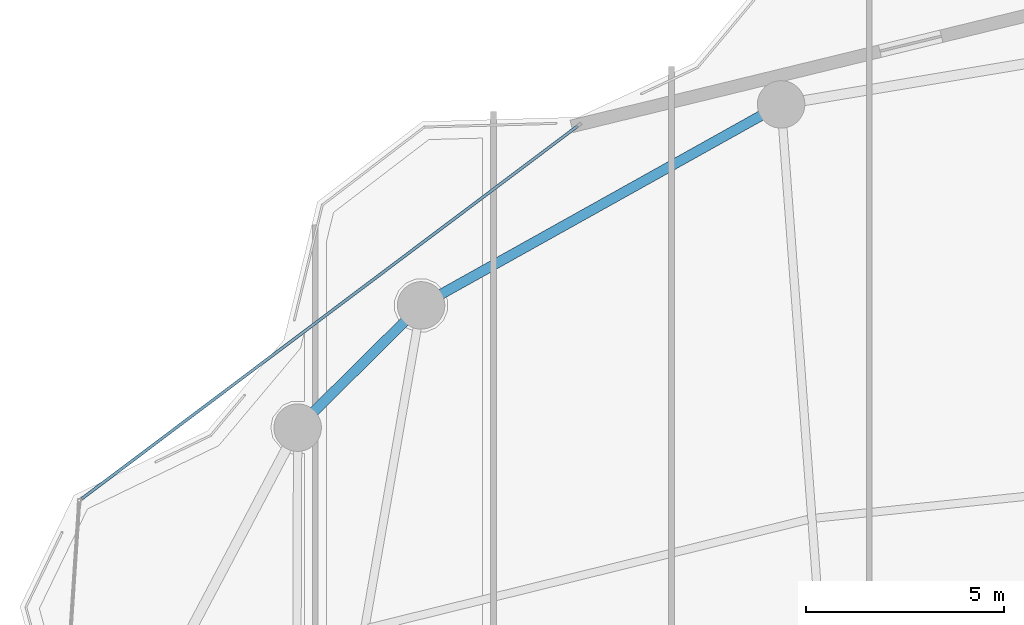
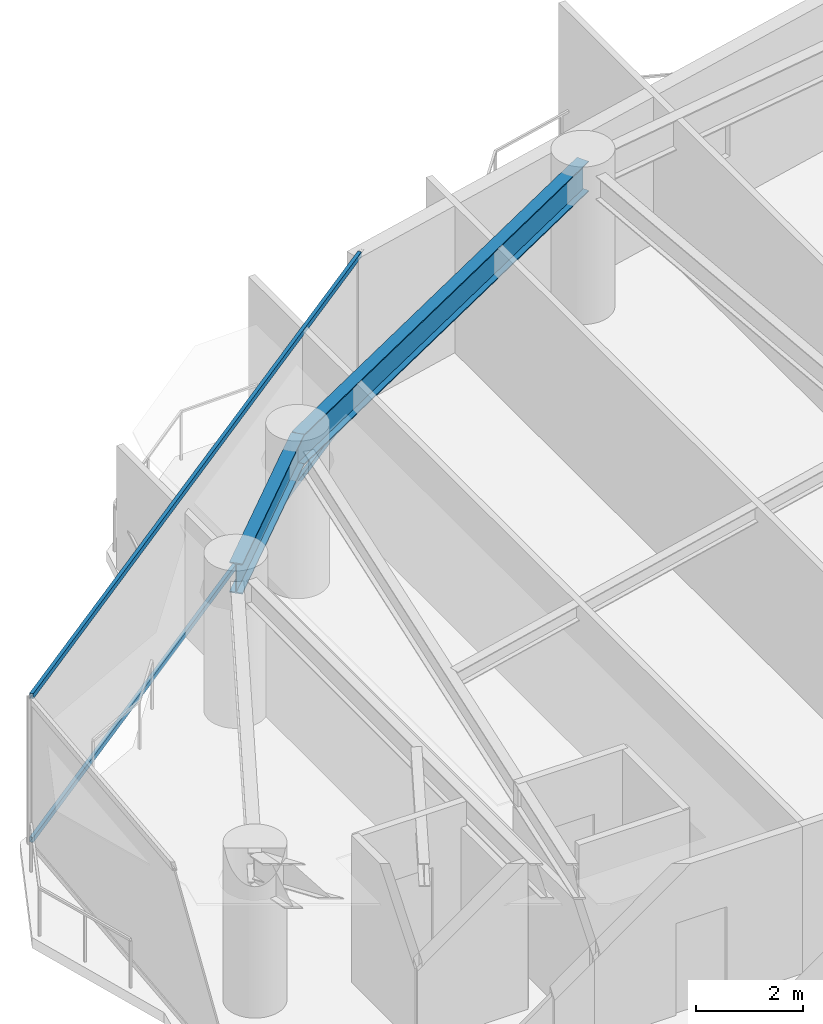
# One storey, part 17 of 30: 2 beams, 2 members, 1 element without a shape of its own.
"""IFC4 building model written with IfcOpenShell, lengths in metres."""

from ifc_helpers import new_model, si_unit, direction, frame, origin, origin_2d, place, context, subcontext, project, spatial, hollow_rectangle, i_section, extrude, material, layer, layer_set, material_profile, profile_set, type_object, element, aggregate, save


model = new_model("IFC4")

# Units and contexts
model_context = context("Model", 3, precision=1e-05, world=origin(), true_north=direction((0.0, 1.0)))
body_context = subcontext(model_context, "Body", "Model", "MODEL_VIEW")
ifc_project = project(units=[si_unit("LENGTHUNIT", "METRE"), si_unit("AREAUNIT", "SQUARE_METRE"), si_unit("VOLUMEUNIT", "CUBIC_METRE"), si_unit("PLANEANGLEUNIT", "RADIAN"), si_unit("MASSUNIT", "GRAM", prefix="KILO")], contexts=[model_context])

# Site, building, storey
site_placement = place(None, origin())
site = spatial("IfcSite", under=ifc_project, at=site_placement, CompositionType="ELEMENT")
building_placement = place(site_placement, origin())
building = spatial("IfcBuilding", under=site, at=building_placement, Name="Kazevale Care Tower and Concert Hall", CompositionType="ELEMENT")
storey_placement = place(building_placement, frame((0.0, 0.0, 131.39990234375)))
storey = spatial("IfcBuildingStorey", under=building, at=storey_placement, Name="L34", CompositionType="ELEMENT", Elevation=131.39990234375)

# Curtain wall, members
ifc_material_1 = material(Name="Aluminium 6063-T6 and Low-E Glass", Category="aluminium")
ifc_layer = layer(ifc_material_1, 0.179931640625)
ifc_layer_set = layer_set([ifc_layer], Name="Aluminium 6063-T6 and Low-E Glass")
curtain_wall_type = type_object("IfcCurtainWallType", Name="Convex Recessed Sunroom Curtain Wall CW-3", PredefinedType="NOTDEFINED", material=ifc_layer_set)
curtain_wall_placement = place(storey_placement, origin())
curtain_wall = element("IfcCurtainWall", 1, at=curtain_wall_placement, inside=storey, type_object=curtain_wall_type, Name="cw:L34:f14", PredefinedType="NOTDEFINED")
ifc_material_2 = material(Name="Aluminium 6063-T6", Category="aluminium")
ifc_material_profile_1 = material_profile(ifc_material_2, hollow_rectangle(XDim=0.074951171875, YDim=0.1201171875, WallThickness=0.00390625, at=origin_2d()), Name="ALU75x120x4")
ifc_profile_set_1 = profile_set([ifc_material_profile_1], Name="Aluminium 6063-T6")
member_type = type_object("IfcMemberType", Name="CW-3 Transom ALU75x120x4", PredefinedType="USERDEFINED", material=ifc_profile_set_1)
member_1_placement = place(storey_placement, frame((16.5888671875, 49.68994140625, 0.03759765625), z_axis=(0.79939444404, 0.600806560249, 0.0), x_axis=(-0.600806560249, 0.79939444404, 0.0)))
member_1 = element("IfcMember", 2, at=member_1_placement, type_object=member_type, Name="CW-3 transom 1.1", ObjectType="TRANSOM", PredefinedType="USERDEFINED", context=body_context, shape_type="SweptSolid", body=[
    extrude(hollow_rectangle(XDim=0.074951171875, YDim=0.1201171875, WallThickness=0.00390625, at=origin_2d()), origin(), (0.0, 0.0, 1.0), 15.685791015625),
])
member_2_placement = place(storey_placement, frame((16.5888671875, 49.68994140625, 3.322509765625), z_axis=(0.79939444404, 0.600806560249, 0.0), x_axis=(-0.600806560249, 0.79939444404, 0.0)))
member_2 = element("IfcMember", 3, at=member_2_placement, type_object=member_type, Name="CW-3 transom 1.2", ObjectType="TRANSOM", PredefinedType="USERDEFINED", context=body_context, shape_type="SweptSolid", body=[
    extrude(hollow_rectangle(XDim=0.074951171875, YDim=0.1201171875, WallThickness=0.00390625, at=origin_2d()), origin(), (0.0, 0.0, 1.0), 15.685791015625),
])
aggregate(curtain_wall, [member_1, member_2])

# Beams
ifc_material_3 = material(Name="Steel ASTM A572 Gr 50", Category="steel")
ifc_material_profile_2 = material_profile(ifc_material_3, i_section(OverallWidth=0.256103515625, OverallDepth=0.693115234375, WebThickness=0.014404296875, FlangeThickness=0.023681640625, at=origin_2d()), Name="W690x170")
ifc_profile_set_2 = profile_set([ifc_material_profile_2], Name="Steel ASTM A572 Gr 50")
beam_type = type_object("IfcBeamType", Name="Waist Ring Beam W690x170", PredefinedType="BEAM", material=ifc_profile_set_2)
beam_1_placement = place(storey_placement, frame((34.27001953125, 59.659912109375, 3.013671875), z_axis=(-0.873168720251, -0.487418081297, 0.0), x_axis=(0.487418081297, -0.873168720251, 0.0)))
element("IfcBeam", 4, at=beam_1_placement, inside=storey, type_object=beam_type, Name="beam:L34:ring:06", PredefinedType="BEAM", context=body_context, shape_type="SweptSolid", body=[
    extrude(i_section(OverallWidth=0.256103515625, OverallDepth=0.693115234375, WebThickness=0.014404296875, FlangeThickness=0.023681640625, at=origin_2d()), origin(), (0.0, 0.0, 1.0), 10.421875),
])
beam_2_placement = place(storey_placement, frame((25.169921875, 54.580078125, 3.013671875), z_axis=(-0.710490141585, -0.703707154085, 0.0), x_axis=(0.703707154085, -0.710490141585, 0.0)))
element("IfcBeam", 5, at=beam_2_placement, inside=storey, type_object=beam_type, Name="beam:L34:ring:07", PredefinedType="BEAM", context=body_context, shape_type="SweptSolid", body=[
    extrude(i_section(OverallWidth=0.256103515625, OverallDepth=0.693115234375, WebThickness=0.014404296875, FlangeThickness=0.023681640625, at=origin_2d()), origin(), (0.0, 0.0, 1.0), 4.39111328125),
])

save(model, "model.ifc")
